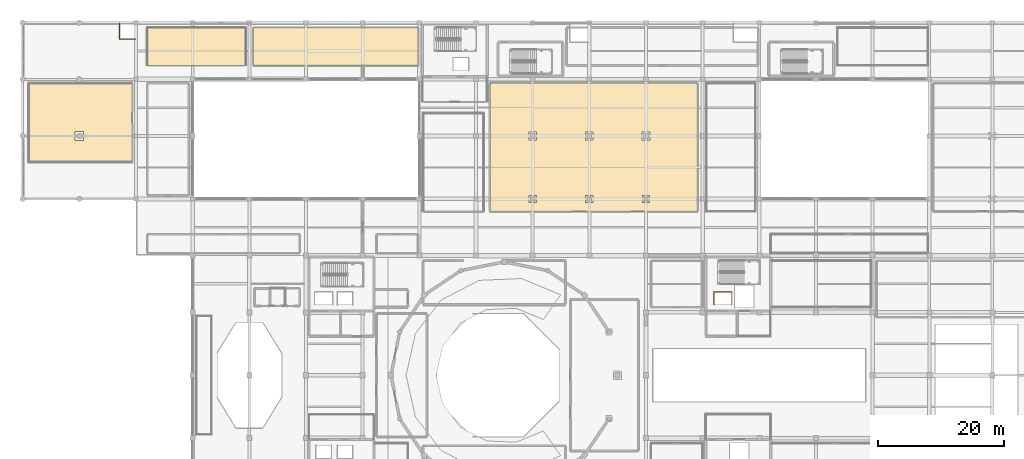
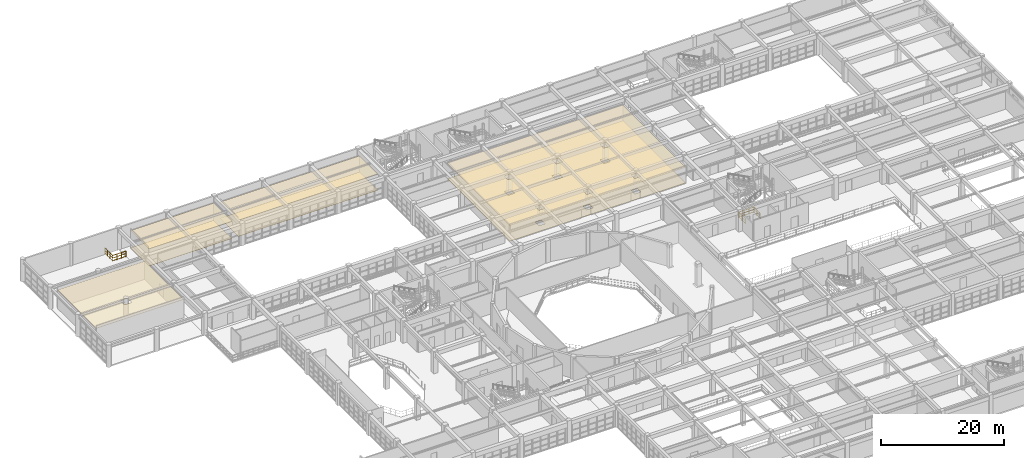
# One storey, part 129 of 133: 7 coverings, 2 railings.
"""IFC4 building model written with IfcOpenShell, lengths in metres."""

from ifc_helpers import new_model, si_unit, direction, frame, origin, origin_2d, place, context, subcontext, project, spatial, polyline, circle, outline, extrude, material, layer, layer_set, type_object, element, save


model = new_model("IFC4")

# Units and contexts
model_context = context("Model", 3, precision=1e-05, world=origin(), true_north=direction((0.0, 1.0)))
body_context = subcontext(model_context, "Body", "Model", "MODEL_VIEW")
ifc_project = project(units=[si_unit("LENGTHUNIT", "METRE"), si_unit("AREAUNIT", "SQUARE_METRE"), si_unit("VOLUMEUNIT", "CUBIC_METRE"), si_unit("PLANEANGLEUNIT", "RADIAN"), si_unit("MASSUNIT", "GRAM", prefix="KILO")], contexts=[model_context])

# Site, building, storey
site_placement = place(None, origin())
site = spatial("IfcSite", under=ifc_project, at=site_placement, CompositionType="ELEMENT")
building_placement = place(site_placement, origin())
building = spatial("IfcBuilding", under=site, at=building_placement, Name="Miravela Opera House", CompositionType="ELEMENT")
storey_placement = place(building_placement, frame((0.0, 0.0, 5.10009765625)))
storey = spatial("IfcBuildingStorey", under=building, at=storey_placement, Name="L01", CompositionType="ELEMENT", Elevation=5.10009765625)

# Coverings
ifc_material_1 = material(Name="Perforated hardwood acoustic reflector ceiling", Category="wood")
ifc_layer_1 = layer(ifc_material_1, 0.031982421875)
ifc_layer_set_1 = layer_set([ifc_layer_1])
covering_type_1 = type_object("IfcCoveringType", Name="ARC-CEIL-ACOUSTIC-32", PredefinedType="CEILING", material=ifc_layer_set_1)
covering_1_placement = place(storey_placement, frame((0.0, 0.0, 3.409912109375)))
element("IfcCovering", 1, at=covering_1_placement, inside=storey, type_object=covering_type_1, Name="Vocal Coaching Studio 1 Acoustic Ceiling", PredefinedType="CEILING", context=body_context, shape_type="SweptSolid", body=[
    extrude(outline(polyline([(19.800048828125, 105.199951171875), (35.39990234375, 105.199951171875), (35.39990234375, 111.199951171875), (19.800048828125, 111.199951171875), (19.800048828125, 105.199951171875)])), origin(), (0.0, 0.0, 1.0), 0.031982421875),
])
ifc_material_2 = material(Name="Mineral-wool studio acoustic ceiling cloud")
ifc_layer_2 = layer(ifc_material_2, 0.050048828125)
ifc_layer_set_2 = layer_set([ifc_layer_2])
covering_type_2 = type_object("IfcCoveringType", Name="ARC-CEIL-BAFFLE-50", PredefinedType="CEILING", material=ifc_layer_set_2)
covering_2_placement = place(storey_placement, frame((0.0, 0.0, 3.059814453125)))
element("IfcCovering", 2, at=covering_2_placement, inside=storey, type_object=covering_type_2, Name="Chamber Studio Theatre Stalls Acoustic Ceiling", PredefinedType="CEILING", context=body_context, shape_type="SweptSolid", body=[
    extrude(outline(polyline([(74.199951171875, 82.0), (107.199951171875, 82.0), (107.199951171875, 102.39990234375), (74.199951171875, 102.39990234375), (74.199951171875, 82.0)]), holes=[polyline([(80.425048828125, 83.425048828125), (81.574951171875, 83.425048828125), (81.574951171875, 84.574951171875), (80.425048828125, 84.574951171875), (80.425048828125, 83.425048828125)]), polyline([(80.3896484375, 93.3896484375), (81.6103515625, 93.3896484375), (81.6103515625, 94.6103515625), (80.3896484375, 94.6103515625), (80.3896484375, 93.3896484375)]), polyline([(89.425048828125, 83.425048828125), (90.574951171875, 83.425048828125), (90.574951171875, 84.574951171875), (89.425048828125, 84.574951171875), (89.425048828125, 83.425048828125)]), polyline([(89.3896484375, 93.3896484375), (90.6103515625, 93.3896484375), (90.6103515625, 94.6103515625), (89.3896484375, 94.6103515625), (89.3896484375, 93.3896484375)]), polyline([(98.425048828125, 83.425048828125), (99.574951171875, 83.425048828125), (99.574951171875, 84.574951171875), (98.425048828125, 84.574951171875), (98.425048828125, 83.425048828125)]), polyline([(98.3896484375, 93.3896484375), (99.6103515625, 93.3896484375), (99.6103515625, 94.6103515625), (98.3896484375, 94.6103515625), (98.3896484375, 93.3896484375)])]), origin(), (0.0, 0.0, 1.0), 0.050048828125),
])
covering_3_placement = place(storey_placement, frame((0.0, 0.0, 3.536865234375)))
element("IfcCovering", 3, at=covering_3_placement, inside=storey, type_object=covering_type_2, Name="Community Opera Lecture Room Acoustic Ceiling", PredefinedType="CEILING", context=body_context, shape_type="SweptSolid", body=[
    extrude(outline(polyline([(1.0, 89.800048828125), (17.39990234375, 89.800048828125), (17.39990234375, 102.39990234375), (1.0, 102.39990234375), (1.0, 89.800048828125)]), holes=[polyline([(8.319091796875, 93.319091796875), (9.680908203125, 93.319091796875), (9.680908203125, 94.680908203125), (8.319091796875, 94.680908203125), (8.319091796875, 93.319091796875)])]), origin(), (0.0, 0.0, 1.0), 0.050048828125),
])
ifc_material_3 = material(Name="Suspended acoustic gypsum board ceiling")
ifc_layer_3 = layer(ifc_material_3, 0.02392578125)
ifc_layer_set_3 = layer_set([ifc_layer_3])
covering_type_3 = type_object("IfcCoveringType", Name="ARC-CEIL-GYPSUM-24", PredefinedType="CEILING", material=ifc_layer_set_3)
covering_4_placement = place(storey_placement, frame((0.0, 0.0, 3.2099609375)))
element("IfcCovering", 4, at=covering_4_placement, inside=storey, type_object=covering_type_3, Name="Vocal Coaching Studio 2 Acoustic Ceiling", PredefinedType="CEILING", context=body_context, shape_type="SweptSolid", body=[
    extrude(outline(polyline([(36.60009765625, 105.199951171875), (62.800048828125, 105.199951171875), (62.800048828125, 111.199951171875), (36.60009765625, 111.199951171875), (36.60009765625, 105.199951171875)])), origin(), (0.0, 0.0, 1.0), 0.02392578125),
])
ifc_material_4 = material(Name="Acoustic oiled mahogany auditorium flooring")
ifc_layer_4 = layer(ifc_material_4, 0.01904296875)
ifc_layer_set_4 = layer_set([ifc_layer_4])
covering_type_4 = type_object("IfcCoveringType", Name="ARC-FLR-HARDWOOD-19", PredefinedType="FLOORING", material=ifc_layer_set_4)
covering_5_placement = place(storey_placement, origin())
element("IfcCovering", 5, at=covering_5_placement, inside=storey, type_object=covering_type_4, Name="Chamber Studio Theatre Stalls Finish Flooring", PredefinedType="FLOORING", context=body_context, shape_type="SweptSolid", body=[
    extrude(outline(polyline([(74.199951171875, 82.0), (107.199951171875, 82.0), (107.199951171875, 102.39990234375), (74.199951171875, 102.39990234375), (74.199951171875, 82.0)]), holes=[polyline([(80.425048828125, 83.425048828125), (81.574951171875, 83.425048828125), (81.574951171875, 84.574951171875), (80.425048828125, 84.574951171875), (80.425048828125, 83.425048828125)]), polyline([(80.3896484375, 93.3896484375), (81.6103515625, 93.3896484375), (81.6103515625, 94.6103515625), (80.3896484375, 94.6103515625), (80.3896484375, 93.3896484375)]), polyline([(89.425048828125, 83.425048828125), (90.574951171875, 83.425048828125), (90.574951171875, 84.574951171875), (89.425048828125, 84.574951171875), (89.425048828125, 83.425048828125)]), polyline([(89.3896484375, 93.3896484375), (90.6103515625, 93.3896484375), (90.6103515625, 94.6103515625), (89.3896484375, 94.6103515625), (89.3896484375, 93.3896484375)]), polyline([(98.425048828125, 83.425048828125), (99.574951171875, 83.425048828125), (99.574951171875, 84.574951171875), (98.425048828125, 84.574951171875), (98.425048828125, 83.425048828125)]), polyline([(98.3896484375, 93.3896484375), (99.6103515625, 93.3896484375), (99.6103515625, 94.6103515625), (98.3896484375, 94.6103515625), (98.3896484375, 93.3896484375)])]), origin(), (0.0, 0.0, 1.0), 0.018798828125),
])
ifc_material_5 = material(Name="Sprung resilient oak stage and ballet flooring")
ifc_layer_5 = layer(ifc_material_5, 0.0380859375)
ifc_layer_set_5 = layer_set([ifc_layer_5])
covering_type_5 = type_object("IfcCoveringType", Name="ARC-FLR-SPRUNG-38", PredefinedType="FLOORING", material=ifc_layer_set_5)
covering_6_placement = place(storey_placement, origin())
element("IfcCovering", 6, at=covering_6_placement, inside=storey, type_object=covering_type_5, Name="Vocal Coaching Studio 1 Finish Flooring", PredefinedType="FLOORING", context=body_context, shape_type="SweptSolid", body=[
    extrude(outline(polyline([(19.800048828125, 105.199951171875), (35.39990234375, 105.199951171875), (35.39990234375, 111.199951171875), (19.800048828125, 111.199951171875), (19.800048828125, 105.199951171875)])), origin(), (0.0, 0.0, 1.0), 0.037841796875),
])
ifc_material_6 = material(Name="Honed Guatemalan limestone foyer flooring", Category="masonry")
ifc_layer_6 = layer(ifc_material_6, 0.02587890625)
ifc_layer_set_6 = layer_set([ifc_layer_6])
covering_type_6 = type_object("IfcCoveringType", Name="ARC-FLR-TRAVERTINE-26", PredefinedType="FLOORING", material=ifc_layer_set_6)
covering_7_placement = place(storey_placement, origin())
element("IfcCovering", 7, at=covering_7_placement, inside=storey, type_object=covering_type_6, Name="Vocal Coaching Studio 2 Finish Flooring", PredefinedType="FLOORING", context=body_context, shape_type="SweptSolid", body=[
    extrude(outline(polyline([(36.60009765625, 105.199951171875), (62.800048828125, 105.199951171875), (62.800048828125, 111.199951171875), (36.60009765625, 111.199951171875), (36.60009765625, 105.199951171875)])), origin(), (0.0, 0.0, 1.0), 0.02587890625),
])

# Railings
ifc_material_7 = material(Name="Painted wrought-iron stair guardrail")
railing_type_1 = type_object("IfcRailingType", Name="ARC-RAIL-STAIR-GUARD", PredefinedType="GUARDRAIL", material=ifc_material_7)
railing_1_placement = place(storey_placement, frame((109.7900390625, 67.18505859375, 0.0)))
element("IfcRailing", 8, at=railing_1_placement, inside=storey, type_object=railing_type_1, Name="Lift FFL-02 Hoistway Slab Opening Guard (L01) 0118", PredefinedType="GUARDRAIL", context=body_context, shape_type="SweptSolid", body=[
    extrude(circle(Radius=0.02392578125, at=origin_2d()), frame((0.0, 0.0, 1.076171875), z_axis=(0.0, 1.0, 0.0), x_axis=(-1.0, 0.0, 0.0)), (0.0, 0.0, 1.0), 2.030029296875),
    extrude(circle(Radius=0.01611328125, at=origin_2d()), frame((0.0, 0.0, 0.60498046875), z_axis=(0.0, 1.0, 0.0), x_axis=(-1.0, 0.0, 0.0)), (0.0, 0.0, 1.0), 2.030029296875),
    extrude(circle(Radius=0.01611328125, at=origin_2d()), frame((0.0, 0.0, 0.1201171875), z_axis=(0.0, 1.0, 0.0), x_axis=(-1.0, 0.0, 0.0)), (0.0, 0.0, 1.0), 2.030029296875),
    extrude(circle(Radius=0.02392578125, at=origin_2d()), frame((0.0, 2.030029296875, 1.076171875), z_axis=(1.0, 0.0, 0.0), x_axis=(0.0, 1.0, 0.0)), (0.0, 0.0, 1.0), 2.820068359375),
    extrude(circle(Radius=0.01611328125, at=origin_2d()), frame((0.0, 2.030029296875, 0.60498046875), z_axis=(1.0, 0.0, 0.0), x_axis=(0.0, 1.0, 0.0)), (0.0, 0.0, 1.0), 2.820068359375),
    extrude(circle(Radius=0.01611328125, at=origin_2d()), frame((0.0, 2.030029296875, 0.1201171875), z_axis=(1.0, 0.0, 0.0), x_axis=(0.0, 1.0, 0.0)), (0.0, 0.0, 1.0), 2.820068359375),
    extrude(circle(Radius=0.02392578125, at=origin_2d()), frame((2.820068359375, 2.030029296875, 1.076171875), z_axis=(0.0, -1.0, 0.0), x_axis=(1.0, 0.0, 0.0)), (0.0, 0.0, 1.0), 2.030029296875),
    extrude(circle(Radius=0.01611328125, at=origin_2d()), frame((2.820068359375, 2.030029296875, 0.60498046875), z_axis=(0.0, -1.0, 0.0), x_axis=(1.0, 0.0, 0.0)), (0.0, 0.0, 1.0), 2.030029296875),
    extrude(circle(Radius=0.01611328125, at=origin_2d()), frame((2.820068359375, 2.030029296875, 0.1201171875), z_axis=(0.0, -1.0, 0.0), x_axis=(1.0, 0.0, 0.0)), (0.0, 0.0, 1.0), 2.030029296875),
    extrude(circle(Radius=0.02099609375, at=origin_2d()), origin(), (0.0, 0.0, 1.0), 1.052001953125),
    extrude(circle(Radius=0.02099609375, at=origin_2d()), frame((0.0, 1.01513671875, 0.0)), (0.0, 0.0, 1.0), 1.052001953125),
    extrude(circle(Radius=0.02099609375, at=origin_2d()), frame((0.0, 2.030029296875, 0.0)), (0.0, 0.0, 1.0), 1.052001953125),
    extrude(circle(Radius=0.02099609375, at=origin_2d()), frame((0.93994140625, 2.030029296875, 0.0)), (0.0, 0.0, 1.0), 1.052001953125),
    extrude(circle(Radius=0.02099609375, at=origin_2d()), frame((1.880126953125, 2.030029296875, 0.0)), (0.0, 0.0, 1.0), 1.052001953125),
    extrude(circle(Radius=0.02099609375, at=origin_2d()), frame((2.820068359375, 2.030029296875, 0.0)), (0.0, 0.0, 1.0), 1.052001953125),
    extrude(circle(Radius=0.02099609375, at=origin_2d()), frame((2.820068359375, 1.01513671875, 0.0)), (0.0, 0.0, 1.0), 1.052001953125),
    extrude(circle(Radius=0.02099609375, at=origin_2d()), frame((2.820068359375, 0.0, 0.0)), (0.0, 0.0, 1.0), 1.052001953125),
])
ifc_material_8 = material(Name="Spanish Colonial wrought-iron terrace guard")
railing_type_2 = type_object("IfcRailingType", Name="ARC-RAIL-TERR-GUARD", PredefinedType="GUARDRAIL", material=ifc_material_8)
railing_2_placement = place(storey_placement, frame((17.89990234375, 109.39990234375, 0.0)))
element("IfcRailing", 9, at=railing_2_placement, inside=storey, type_object=railing_type_2, Name="SLAB-L01-V5N Stepped Corner Guardrail 0178", PredefinedType="GUARDRAIL", context=body_context, shape_type="SweptSolid", body=[
    extrude(circle(Radius=0.02685546875, at=origin_2d()), frame((0.0, 0.0, 1.1328125), z_axis=(-1.0, 0.0, 0.0), x_axis=(0.0, -1.0, 0.0)), (0.0, 0.0, 1.0), 2.5),
    extrude(circle(Radius=0.01611328125, at=origin_2d()), frame((0.0, 0.0, 0.637939453125), z_axis=(-1.0, 0.0, 0.0), x_axis=(0.0, -1.0, 0.0)), (0.0, 0.0, 1.0), 2.5),
    extrude(circle(Radius=0.01611328125, at=origin_2d()), frame((0.0, 0.0, 0.1201171875), z_axis=(-1.0, 0.0, 0.0), x_axis=(0.0, -1.0, 0.0)), (0.0, 0.0, 1.0), 2.5),
    extrude(circle(Radius=0.02685546875, at=origin_2d()), frame((-2.5, 0.0, 1.1328125), z_axis=(0.0, 1.0, 0.0), x_axis=(-1.0, 0.0, 0.0)), (0.0, 0.0, 1.0), 2.5),
    extrude(circle(Radius=0.01611328125, at=origin_2d()), frame((-2.5, 0.0, 0.637939453125), z_axis=(0.0, 1.0, 0.0), x_axis=(-1.0, 0.0, 0.0)), (0.0, 0.0, 1.0), 2.5),
    extrude(circle(Radius=0.01611328125, at=origin_2d()), frame((-2.5, 0.0, 0.1201171875), z_axis=(0.0, 1.0, 0.0), x_axis=(-1.0, 0.0, 0.0)), (0.0, 0.0, 1.0), 2.5),
    extrude(circle(Radius=0.02099609375, at=origin_2d()), origin(), (0.0, 0.0, 1.0), 1.10595703125),
    extrude(circle(Radius=0.02099609375, at=origin_2d()), frame((-0.833251953125, 0.0, 0.0)), (0.0, 0.0, 1.0), 1.10595703125),
    extrude(circle(Radius=0.02099609375, at=origin_2d()), frame((-1.666748046875, 0.0, 0.0)), (0.0, 0.0, 1.0), 1.10595703125),
    extrude(circle(Radius=0.02099609375, at=origin_2d()), frame((-2.5, 0.0, 0.0)), (0.0, 0.0, 1.0), 1.10595703125),
    extrude(circle(Radius=0.02099609375, at=origin_2d()), frame((-2.5, 0.833251953125, 0.0)), (0.0, 0.0, 1.0), 1.10595703125),
    extrude(circle(Radius=0.02099609375, at=origin_2d()), frame((-2.5, 1.666748046875, 0.0)), (0.0, 0.0, 1.0), 1.10595703125),
    extrude(circle(Radius=0.02099609375, at=origin_2d()), frame((-2.5, 2.5, 0.0)), (0.0, 0.0, 1.0), 1.10595703125),
])

save(model, "model.ifc")
